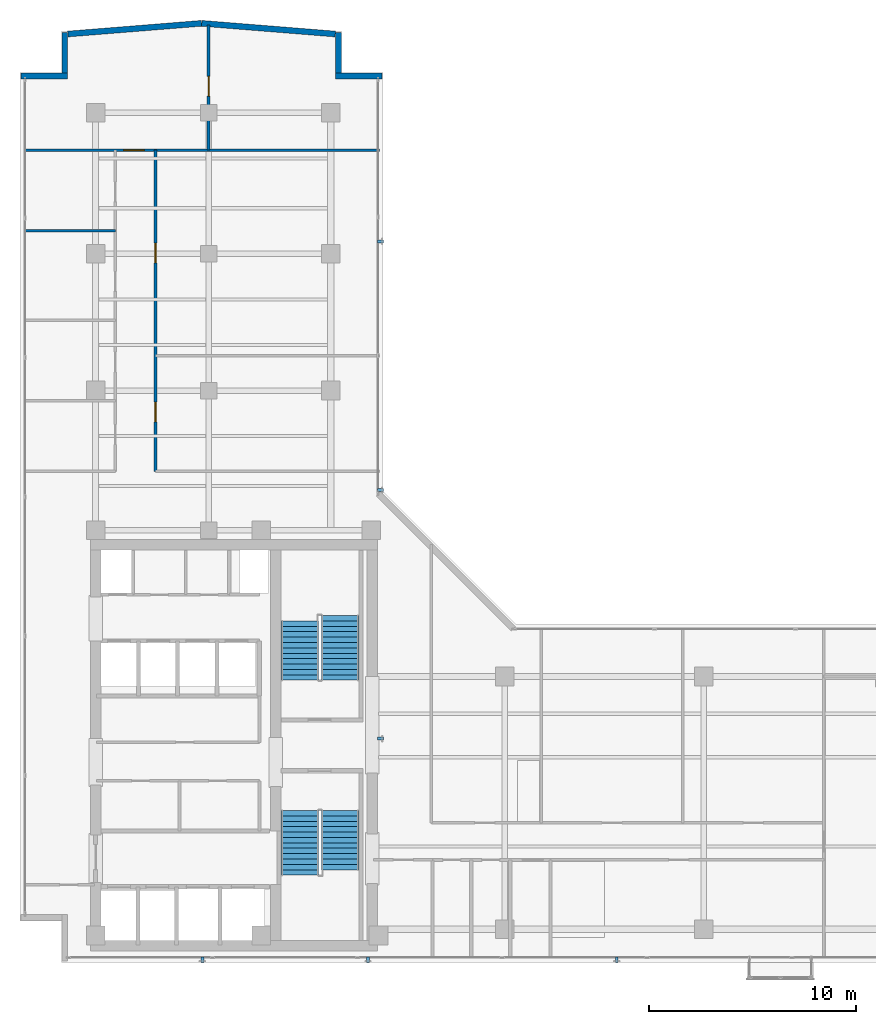
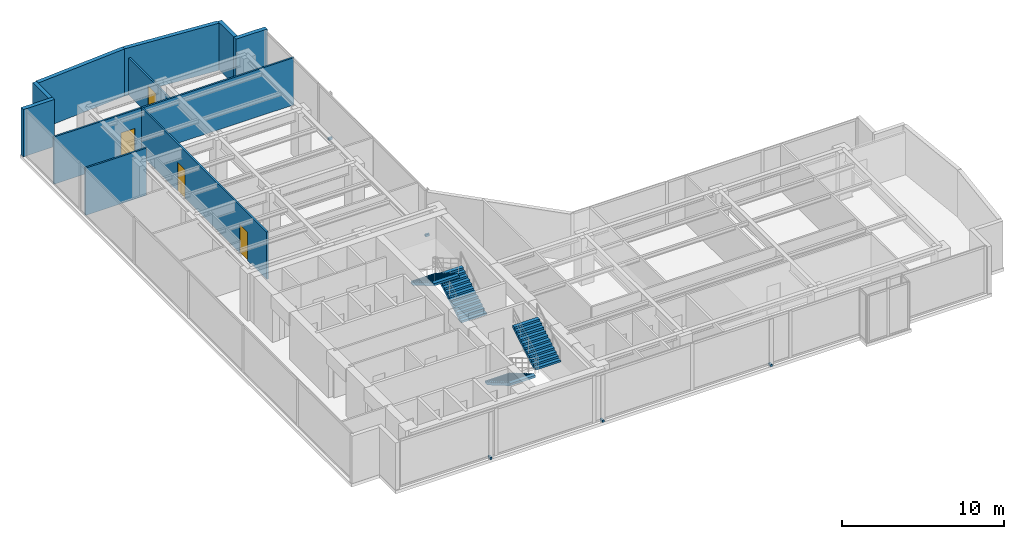
# One storey, part 18 of 23: 10 walls, 6 discrete accessories, 4 doors, 4 stair flights, 4 openings, 2 elements without a shape of their own.
"""IFC4 building model written with IfcOpenShell, lengths in metres."""

from ifc_helpers import new_model, si_unit, direction, frame, frame_2d, origin, origin_with_axes, origin_2d, place, context, subcontext, project, spatial, polyline, rectangle, outline, extrude, source, transform, mapped, material, layer, layer_set, type_object, element, fill, aggregate, save


model = new_model("IFC4")

# Units and contexts
model_context = context("Model", 3, precision=1e-05, world=origin(), true_north=direction((0.0, 1.0)))
body_context = subcontext(model_context, "Body", "Model", "MODEL_VIEW")
ifc_project = project(units=[si_unit("LENGTHUNIT", "METRE"), si_unit("AREAUNIT", "SQUARE_METRE"), si_unit("VOLUMEUNIT", "CUBIC_METRE"), si_unit("PLANEANGLEUNIT", "RADIAN"), si_unit("MASSUNIT", "GRAM", prefix="KILO")], contexts=[model_context])

# Site, building, storey
site_placement = place(None, origin())
site = spatial("IfcSite", under=ifc_project, at=site_placement, CompositionType="ELEMENT")
building_placement = place(site_placement, origin())
building = spatial("IfcBuilding", under=site, at=building_placement, Name="Kolvaren Waterfront Exchange", CompositionType="ELEMENT")
storey_placement = place(building_placement, frame((0.0, 0.0, 289.39990234375)))
storey = spatial("IfcBuildingStorey", under=building, at=storey_placement, Name="L74", CompositionType="ELEMENT", Elevation=289.39990234375)

# Walls
ifc_material_1 = material(Name="Precast concrete C40/50", Category="concrete")
ifc_layer_1 = layer(ifc_material_1, 0.280029296875, Name="Precast concrete C40/50")
ifc_layer_set_1 = layer_set([ifc_layer_1], Name="Precast concrete C40/50")
wall_type_1 = type_object("IfcWallType", Name="ARC-EXT-TERR-280", PredefinedType="SOLIDWALL", material=ifc_layer_set_1)
wall_1_placement = place(storey_placement, frame((19.0263671875, 46.382080078125, 0.0), z_axis=(0.0, 0.0, 1.0), x_axis=(1.0, 0.0, 0.0)))
element("IfcWall", 1, at=wall_1_placement, inside=storey, type_object=wall_type_1, Name="L74 notched corner spandrel pier NNE-A", PredefinedType="SOLIDWALL", context=body_context, shape_type="SweptSolid", body=[
    extrude(rectangle(XDim=2.239990234375, YDim=0.280029296875, at=frame_2d((1.1201171875, 0.0))), origin(), (0.0, 0.0, 1.0), 3.56005859375),
])
wall_2_placement = place(storey_placement, frame((19.166259765625, 46.522216796875, 0.0), z_axis=(0.0, 0.0, 1.0), x_axis=(0.0, 1.0, 0.0)))
element("IfcWall", 2, at=wall_2_placement, inside=storey, type_object=wall_type_1, Name="L74 notched corner spandrel pier NNE-B", PredefinedType="SOLIDWALL", context=body_context, shape_type="SweptSolid", body=[
    extrude(rectangle(XDim=1.9599609375, YDim=0.280029296875, at=frame_2d((0.97998046875, 0.0))), origin(), (0.0, 0.0, 1.0), 3.56005859375),
])
wall_3_placement = place(storey_placement, frame((3.860107421875, 46.382080078125, 0.0), z_axis=(0.0, 0.0, 1.0), x_axis=(1.0, 0.0, 0.0)))
element("IfcWall", 3, at=wall_3_placement, inside=storey, type_object=wall_type_1, Name="L74 notched corner spandrel pier NW-A", PredefinedType="SOLIDWALL", context=body_context, shape_type="SweptSolid", body=[
    extrude(rectangle(XDim=2.239990234375, YDim=0.280029296875, at=frame_2d((1.1201171875, 0.0))), origin(), (0.0, 0.0, 1.0), 3.56005859375),
])
wall_4_placement = place(storey_placement, frame((5.9599609375, 46.522216796875, 0.0), z_axis=(0.0, 0.0, 1.0), x_axis=(0.0, 1.0, 0.0)))
element("IfcWall", 4, at=wall_4_placement, inside=storey, type_object=wall_type_1, Name="L74 notched corner spandrel pier NW-B", PredefinedType="SOLIDWALL", context=body_context, shape_type="SweptSolid", body=[
    extrude(rectangle(XDim=1.9599609375, YDim=0.280029296875, at=frame_2d((0.97998046875, 0.0))), origin(), (0.0, 0.0, 1.0), 3.56005859375),
])
for number, where, z_axis, x_axis, name in (
    (5, (19.014404296875, 48.406494140625, 0.0), (0.0, 0.0, 1.0), (-0.996802056186, 0.079910329642, 0.0), "L74 north prow faceted facade wall 1"),
    (6, (12.555908203125, 48.923095703125, 0.0), (0.0, 0.0, 1.0), (-0.996802056186, -0.079910329642, 0.0), "L74 north prow faceted facade wall 2"),
):
    element("IfcWall", number, at=place(storey_placement, frame(where, z_axis=z_axis, x_axis=x_axis)), inside=storey, type_object=wall_type_1, Name=name, PredefinedType="SOLIDWALL", context=body_context, shape_type="SweptSolid", body=[
        extrude(rectangle(XDim=6.46484375, YDim=0.280029296875, at=frame_2d((3.232421875, 0.0))), origin(), (0.0, 0.0, 1.0), 3.56005859375),
    ])
ifc_material_2 = material(Name="Acoustic gypsum steel stud", Category="steel")
ifc_layer_2 = layer(ifc_material_2, 0.125, Name="Acoustic gypsum steel stud")
ifc_layer_set_2 = layer_set([ifc_layer_2], Name="Acoustic gypsum steel stud")
wall_type_2 = type_object("IfcWallType", Name="ARC-PART-125", PredefinedType="PARTITIONING", material=ifc_layer_set_2)
wall_5_placement = place(storey_placement, frame((4.0400390625, 38.919921875, 0.0), z_axis=(0.0, 0.0, 1.0), x_axis=(1.0, 0.0, 0.0)))
element("IfcWall", 7, at=wall_5_placement, inside=storey, type_object=wall_type_2, Name="L74 interior wall PW-L74-NW-DIV-3", PredefinedType="PARTITIONING", context=body_context, shape_type="SweptSolid", body=[
    extrude(rectangle(XDim=4.35986328125, YDim=0.125, at=frame_2d((2.179931640625, 0.0))), origin(), (0.0, 0.0, 1.0), 3.56005859375),
])

# Wall, opening, door
wall_6_placement = place(storey_placement, frame((4.0400390625, 42.800048828125, 0.0), z_axis=(0.0, 0.0, 1.0), x_axis=(1.0, 0.0, 0.0)))
wall_6 = element("IfcWall", 8, at=wall_6_placement, inside=storey, type_object=wall_type_2, Name="L74 interior wall PW-L74-NTIP-S", PredefinedType="PARTITIONING", context=body_context, shape_type="SweptSolid", body=[
    extrude(rectangle(XDim=17.119873046875, YDim=0.125, at=frame_2d((8.56005859375, 0.0))), origin(), (0.0, 0.0, 1.0), 3.56005859375),
])
opening_1_placement = place(wall_6_placement, frame((4.760009765625, 0.0, 0.0)))
opening_1 = element("IfcOpeningElement", 9, at=opening_1_placement, cuts=wall_6, Name="Opening D03", PredefinedType="OPENING", context=body_context, shape_type="SweptSolid", body=[
    extrude(rectangle(XDim=1.0, YDim=2.199951171875, at=frame_2d((0.5, 1.10009765625))), frame((0.0, 0.072509765625, 0.0), z_axis=(0.0, -1.0, 0.0), x_axis=(1.0, 0.0, 0.0)), (0.0, 0.0, 1.0), 0.14501953125),
])
ifc_material_3 = material(Name="Oak veneer accessible timber", Category="wood")
door_type_1 = type_object("IfcDoorType", Name="ARC-DR-1000", OperationType="NOTDEFINED", PredefinedType="DOOR", material=ifc_material_3)
door_1_placement = place(opening_1_placement, origin())
door_1 = element("IfcDoor", 10, at=door_1_placement, inside=storey, type_object=door_type_1, Name="L74 door DR-L74-NTIPW-D (D03)", OperationType="SINGLE_SWING_LEFT", OverallHeight=2.199951171875, OverallWidth=1.0, PredefinedType="DOOR", context=body_context, shape_type="SweptSolid", body=[
    extrude(rectangle(XDim=1.0, YDim=2.199951171875, at=frame_2d((0.5, 1.10009765625))), frame((0.0, 0.02490234375, 0.0), z_axis=(0.0, -1.0, 0.0), x_axis=(1.0, 0.0, 0.0)), (0.0, 0.0, 1.0), 0.050048828125),
])
fill(opening_1, door_1)

wall_7_placement = place(storey_placement, frame((12.89990234375, 42.800048828125, 0.0), z_axis=(0.0, 0.0, 1.0), x_axis=(0.0, 1.0, 0.0)))
wall_7 = element("IfcWall", 11, at=wall_7_placement, inside=storey, type_object=wall_type_2, Name="L74 interior wall PW-L74-NTIP-DIV", PredefinedType="PARTITIONING", context=body_context, shape_type="SweptSolid", body=[
    extrude(rectangle(XDim=6.044189453125, YDim=0.125, at=frame_2d((3.02197265625, 0.0))), origin(), (0.0, 0.0, 1.0), 2.798095703125),
])
opening_2_placement = place(wall_7_placement, frame((2.6123046875, 0.0, 0.0)))
opening_2 = element("IfcOpeningElement", 12, at=opening_2_placement, cuts=wall_7, Name="Opening D02", PredefinedType="OPENING", context=body_context, shape_type="SweptSolid", body=[
    extrude(rectangle(XDim=0.949951171875, YDim=2.14990234375, at=frame_2d((0.47509765625, 1.074951171875))), frame((0.0, 0.072509765625, 0.0), z_axis=(0.0, -1.0, 0.0), x_axis=(1.0, 0.0, 0.0)), (0.0, 0.0, 1.0), 0.14501953125),
])
ifc_material_4 = material(Name="Oak veneer acoustic timber", Category="wood")
door_type_2 = type_object("IfcDoorType", Name="ARC-DR-950", OperationType="NOTDEFINED", PredefinedType="DOOR", material=ifc_material_4)
door_2_placement = place(opening_2_placement, origin())
door_2 = element("IfcDoor", 13, at=door_2_placement, inside=storey, type_object=door_type_2, Name="L74 door DR-L74-NTIPE-D (D02)", OperationType="SINGLE_SWING_RIGHT", OverallHeight=2.14990234375, OverallWidth=0.949951171875, PredefinedType="DOOR", context=body_context, shape_type="SweptSolid", body=[
    extrude(rectangle(XDim=0.949951171875, YDim=2.14990234375, at=frame_2d((0.47509765625, 1.074951171875))), frame((0.0, 0.02490234375, 0.0), z_axis=(0.0, -1.0, 0.0), x_axis=(1.0, 0.0, 0.0)), (0.0, 0.0, 1.0), 0.050048828125),
])
fill(opening_2, door_2)

# Wall, openings, doors
wall_8_placement = place(storey_placement, frame((10.340087890625, 27.300048828125, 0.0), z_axis=(0.0, 0.0, 1.0), x_axis=(0.0, 1.0, 0.0)))
wall_8 = element("IfcWall", 14, at=wall_8_placement, inside=storey, type_object=wall_type_2, Name="L74 interior wall PW-L74-NE-CORR", PredefinedType="PARTITIONING", context=body_context, shape_type="SweptSolid", body=[
    extrude(rectangle(XDim=15.5, YDim=0.125, at=frame_2d((7.75, 0.0))), origin(), (0.0, 0.0, 1.0), 3.56005859375),
])
opening_3_placement = place(wall_8_placement, frame((2.385986328125, 0.0, 0.0)))
opening_3 = element("IfcOpeningElement", 15, at=opening_3_placement, cuts=wall_8, Name="Opening D02", PredefinedType="OPENING", context=body_context, shape_type="SweptSolid", body=[
    extrude(rectangle(XDim=0.949951171875, YDim=2.14990234375, at=frame_2d((0.47509765625, 1.074951171875))), frame((0.0, 0.072509765625, 0.0), z_axis=(0.0, -1.0, 0.0), x_axis=(1.0, 0.0, 0.0)), (0.0, 0.0, 1.0), 0.14501953125),
])
opening_4_placement = place(wall_8_placement, frame((10.06494140625, 0.0, 0.0)))
opening_4 = element("IfcOpeningElement", 16, at=opening_4_placement, cuts=wall_8, Name="Opening D02", PredefinedType="OPENING", context=body_context, shape_type="SweptSolid", body=[
    extrude(rectangle(XDim=0.949951171875, YDim=2.14990234375, at=frame_2d((0.47509765625, 1.074951171875))), frame((0.0, 0.072509765625, 0.0), z_axis=(0.0, -1.0, 0.0), x_axis=(1.0, 0.0, 0.0)), (0.0, 0.0, 1.0), 0.14501953125),
])
door_3_placement = place(opening_3_placement, origin())
door_3 = element("IfcDoor", 17, at=door_3_placement, inside=storey, type_object=door_type_2, Name="L74 door DR-L74-NE-D-1 (D02)", OperationType="SINGLE_SWING_LEFT", OverallHeight=2.14990234375, OverallWidth=0.949951171875, PredefinedType="DOOR", context=body_context, shape_type="SweptSolid", body=[
    extrude(rectangle(XDim=0.949951171875, YDim=2.14990234375, at=frame_2d((0.47509765625, 1.074951171875))), frame((0.0, 0.02490234375, 0.0), z_axis=(0.0, -1.0, 0.0), x_axis=(1.0, 0.0, 0.0)), (0.0, 0.0, 1.0), 0.050048828125),
])
fill(opening_3, door_3)
door_4_placement = place(opening_4_placement, origin())
door_4 = element("IfcDoor", 18, at=door_4_placement, inside=storey, type_object=door_type_2, Name="L74 door DR-L74-NE-D-2 (D02)", OperationType="SINGLE_SWING_RIGHT", OverallHeight=2.14990234375, OverallWidth=0.949951171875, PredefinedType="DOOR", context=body_context, shape_type="SweptSolid", body=[
    extrude(rectangle(XDim=0.949951171875, YDim=2.14990234375, at=frame_2d((0.47509765625, 1.074951171875))), frame((0.0, 0.02490234375, 0.0), z_axis=(0.0, -1.0, 0.0), x_axis=(1.0, 0.0, 0.0)), (0.0, 0.0, 1.0), 0.050048828125),
])
fill(opening_4, door_4)

# Stair, stair flights
ifc_material_5 = material(Name="Concrete C40/50", Category="concrete")
stair_type = type_object("IfcStairType", Name="ARC-STAIR-3800", PredefinedType="HALF_TURN_STAIR", material=ifc_material_5)
stair_1_placement = place(storey_placement, origin())
stair_1 = element("IfcStair", 19, at=stair_1_placement, inside=storey, type_object=stair_type, Name="L74 Smoke-proof exit stair ST1", PredefinedType="HALF_TURN_STAIR")
stair_flight_type = type_object("IfcStairFlightType", Name="ARC-FLIGHT-3800", PredefinedType="STRAIGHT", material=ifc_material_5)
stair_flight_1_placement = place(storey_placement, frame((17.300048828125, 10.929931640625, 0.0), z_axis=(0.0, 0.0, 1.0), x_axis=(0.0, -1.0, 0.0)))
stair_flight_1 = element("IfcStairFlight", 20, at=stair_flight_1_placement, type_object=stair_flight_type, Name="ST1 flight 1", NumberOfRisers=13, NumberOfTreads=12, PredefinedType="STRAIGHT", RiserHeight=0.152, TreadLength=0.26, context=body_context, shape_type="SweptSolid", body=[
    extrude(outline(polyline([(0.0, 0.0), (0.0, 0.152099609375), (0.260009765625, 0.152099609375), (0.260009765625, 0.303955078125), (0.52001953125, 0.303955078125), (0.52001953125, 0.4560546875), (0.780029296875, 0.4560546875), (0.780029296875, 0.60791015625), (1.0400390625, 0.60791015625), (1.0400390625, 0.760009765625), (1.300048828125, 0.760009765625), (1.300048828125, 0.912109375), (1.56005859375, 0.912109375), (1.56005859375, 1.06396484375), (1.820068359375, 1.06396484375), (1.820068359375, 1.216064453125), (2.080078125, 1.216064453125), (2.080078125, 1.367919921875), (2.340087890625, 1.367919921875), (2.340087890625, 1.52001953125), (2.60009765625, 1.52001953125), (2.60009765625, 1.672119140625), (2.860107421875, 1.672119140625), (2.860107421875, 1.823974609375), (3.1201171875, 1.823974609375), (3.1201171875, 1.97607421875), (3.1201171875, 1.650390625), (0.297119140625, 0.0), (0.0, 0.0)])), frame((0.0, 0.89990234375, 0.0), z_axis=(0.0, -1.0, 0.0), x_axis=(1.0, 0.0, 0.0)), (0.0, 0.0, 1.0), 1.800048828125),
])
stair_flight_2_placement = place(storey_placement, frame((19.260009765625, 8.070068359375, 1.97607421875), z_axis=(0.0, 0.0, 1.0), x_axis=(0.0, 1.0, 0.0)))
stair_flight_2 = element("IfcStairFlight", 21, at=stair_flight_2_placement, type_object=stair_flight_type, Name="ST1 flight 2", NumberOfRisers=12, NumberOfTreads=11, PredefinedType="STRAIGHT", RiserHeight=0.152, TreadLength=0.26, context=body_context, shape_type="SweptSolid", body=[
    extrude(outline(polyline([(0.0, 0.0), (0.0, 0.152099609375), (0.260009765625, 0.152099609375), (0.260009765625, 0.303955078125), (0.52001953125, 0.303955078125), (0.52001953125, 0.4560546875), (0.780029296875, 0.4560546875), (0.780029296875, 0.60791015625), (1.0400390625, 0.60791015625), (1.0400390625, 0.760009765625), (1.300048828125, 0.760009765625), (1.300048828125, 0.912109375), (1.56005859375, 0.912109375), (1.56005859375, 1.06396484375), (1.820068359375, 1.06396484375), (1.820068359375, 1.216064453125), (2.080078125, 1.216064453125), (2.080078125, 1.367919921875), (2.340087890625, 1.367919921875), (2.340087890625, 1.52001953125), (2.60009765625, 1.52001953125), (2.60009765625, 1.672119140625), (2.860107421875, 1.672119140625), (2.860107421875, 1.823974609375), (2.860107421875, 1.498291015625), (0.297119140625, 0.0), (0.0, 0.0)])), frame((0.0, 0.89990234375, 0.0), z_axis=(0.0, -1.0, 0.0), x_axis=(1.0, 0.0, 0.0)), (0.0, 0.0, 1.0), 1.800048828125),
])
aggregate(stair_1, [stair_flight_1, stair_flight_2])

stair_2_placement = place(storey_placement, origin())
stair_2 = element("IfcStair", 22, at=stair_2_placement, inside=storey, type_object=stair_type, Name="L74 Smoke-proof exit stair ST2", PredefinedType="HALF_TURN_STAIR")
stair_flight_3_placement = place(storey_placement, frame((19.260009765625, 17.219970703125, 0.0), z_axis=(0.0, 0.0, 1.0), x_axis=(0.0, 1.0, 0.0)))
stair_flight_3 = element("IfcStairFlight", 23, at=stair_flight_3_placement, type_object=stair_flight_type, Name="ST2 flight 1", NumberOfRisers=13, NumberOfTreads=12, PredefinedType="STRAIGHT", RiserHeight=0.152, TreadLength=0.26, context=body_context, shape_type="SweptSolid", body=[
    extrude(outline(polyline([(0.0, 0.0), (0.0, 0.152099609375), (0.260009765625, 0.152099609375), (0.260009765625, 0.303955078125), (0.52001953125, 0.303955078125), (0.52001953125, 0.4560546875), (0.780029296875, 0.4560546875), (0.780029296875, 0.60791015625), (1.0400390625, 0.60791015625), (1.0400390625, 0.760009765625), (1.300048828125, 0.760009765625), (1.300048828125, 0.912109375), (1.56005859375, 0.912109375), (1.56005859375, 1.06396484375), (1.820068359375, 1.06396484375), (1.820068359375, 1.216064453125), (2.080078125, 1.216064453125), (2.080078125, 1.367919921875), (2.340087890625, 1.367919921875), (2.340087890625, 1.52001953125), (2.60009765625, 1.52001953125), (2.60009765625, 1.672119140625), (2.860107421875, 1.672119140625), (2.860107421875, 1.823974609375), (3.1201171875, 1.823974609375), (3.1201171875, 1.97607421875), (3.1201171875, 1.650390625), (0.297119140625, 0.0), (0.0, 0.0)])), frame((0.0, 0.89990234375, 0.0), z_axis=(0.0, -1.0, 0.0), x_axis=(1.0, 0.0, 0.0)), (0.0, 0.0, 1.0), 1.800048828125),
])
stair_flight_4_placement = place(storey_placement, frame((17.300048828125, 20.080078125, 1.97607421875), z_axis=(0.0, 0.0, 1.0), x_axis=(0.0, -1.0, 0.0)))
stair_flight_4 = element("IfcStairFlight", 24, at=stair_flight_4_placement, type_object=stair_flight_type, Name="ST2 flight 2", NumberOfRisers=12, NumberOfTreads=11, PredefinedType="STRAIGHT", RiserHeight=0.152, TreadLength=0.26, context=body_context, shape_type="SweptSolid", body=[
    extrude(outline(polyline([(0.0, 0.0), (0.0, 0.152099609375), (0.260009765625, 0.152099609375), (0.260009765625, 0.303955078125), (0.52001953125, 0.303955078125), (0.52001953125, 0.4560546875), (0.780029296875, 0.4560546875), (0.780029296875, 0.60791015625), (1.0400390625, 0.60791015625), (1.0400390625, 0.760009765625), (1.300048828125, 0.760009765625), (1.300048828125, 0.912109375), (1.56005859375, 0.912109375), (1.56005859375, 1.06396484375), (1.820068359375, 1.06396484375), (1.820068359375, 1.216064453125), (2.080078125, 1.216064453125), (2.080078125, 1.367919921875), (2.340087890625, 1.367919921875), (2.340087890625, 1.52001953125), (2.60009765625, 1.52001953125), (2.60009765625, 1.672119140625), (2.860107421875, 1.672119140625), (2.860107421875, 1.823974609375), (2.860107421875, 1.498291015625), (0.297119140625, 0.0), (0.0, 0.0)])), frame((0.0, 0.89990234375, 0.0), z_axis=(0.0, -1.0, 0.0), x_axis=(1.0, 0.0, 0.0)), (0.0, 0.0, 1.0), 1.800048828125),
])
aggregate(stair_2, [stair_flight_3, stair_flight_4])

# Discrete accessories
ifc_material_6 = material(Name="Stainless steel 316", Category="steel")
discrete_accessory_type = type_object("IfcDiscreteAccessoryType", Name="ARC-BRK-FIN", PredefinedType="BRACKET", material=ifc_material_6)
shared_shape = source(origin_with_axes(), body_context, "Body", "SweptSolid", [
    extrude(rectangle(XDim=0.280029296875, YDim=0.139892578125, at=origin_2d()), origin(), (0.0, 0.0, 1.0), 0.159912109375),
])
for number, where, z_axis, x_axis, name in (
    (25, (12.60009765625, 3.719970703125, 0.0), (0.0, 0.0, 1.0), (0.0, -1.0, 0.0), "L74 bronze fin anchor bracket FIN-L74-S1"),
    (26, (20.60009765625, 3.719970703125, 0.0), (0.0, 0.0, 1.0), (0.0, -1.0, 0.0), "L74 bronze fin anchor bracket FIN-L74-S2"),
    (27, (32.60009765625, 3.719970703125, 0.0), (0.0, 0.0, 1.0), (0.0, -1.0, 0.0), "L74 bronze fin anchor bracket FIN-L74-S3"),
    (28, (21.206298828125, 14.39990234375, 0.0), (0.0, 0.0, 1.0), (1.0, 0.0, 0.0), "L74 bronze fin anchor bracket FIN-L74-E1"),
    (29, (21.206298828125, 26.39990234375, 0.0), (0.0, 0.0, 1.0), (1.0, 0.0, 0.0), "L74 bronze fin anchor bracket FIN-L74-E2"),
    (30, (21.206298828125, 38.39990234375, 0.0), (0.0, 0.0, 1.0), (1.0, 0.0, 0.0), "L74 bronze fin anchor bracket FIN-L74-E3"),
):
    element("IfcDiscreteAccessory", number, at=place(storey_placement, frame(where, z_axis=z_axis, x_axis=x_axis)), inside=storey, type_object=discrete_accessory_type, Name=name, PredefinedType="BRACKET", context=body_context, shape_type="MappedRepresentation", body=[
        mapped(shared_shape, transform((0.0, 0.0, 0.0), x_axis=(1.0, 0.0, 0.0), y_axis=(0.0, 1.0, 0.0), z_axis=(0.0, 0.0, 1.0), scale=1.0)),
    ])

save(model, "model.ifc")
